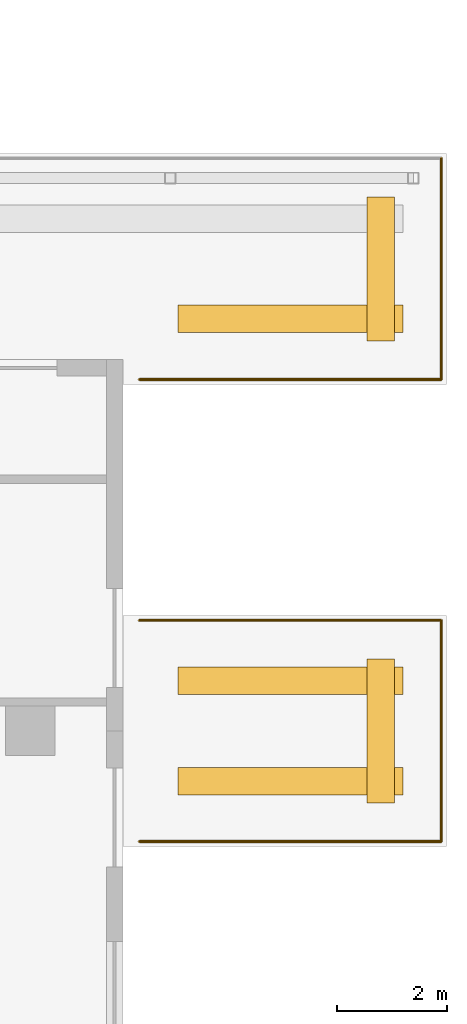
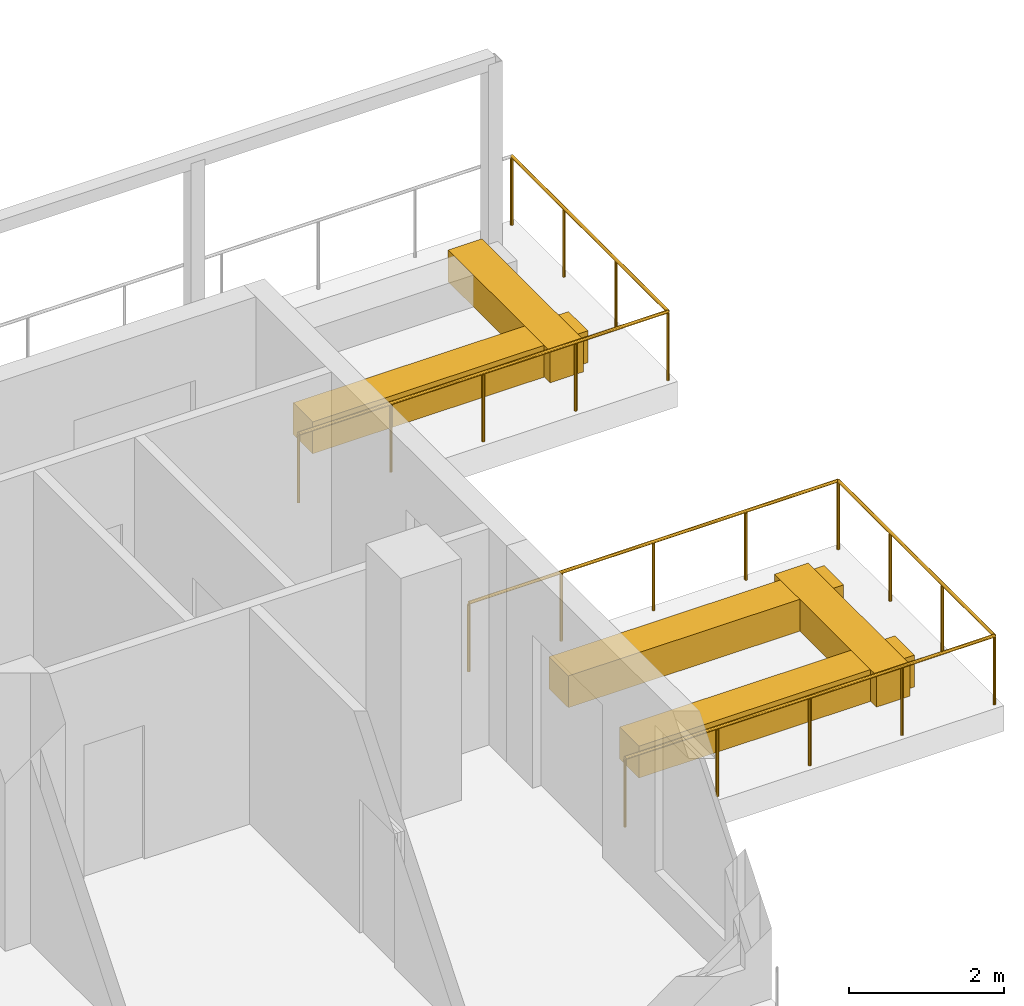
# One storey, part 15 of 15: 5 coverings, 5 railings.
"""IFC4 building model written with IfcOpenShell, lengths in metres."""

from ifc_helpers import new_model, si_unit, direction, frame, origin, origin_2d, place, context, subcontext, project, spatial, rectangle, circle, extrude, source, transform, mapped, material, type_object, element, save


model = new_model("IFC4")

# Units and contexts
model_context = context("Model", 3, precision=1e-05, world=origin(), true_north=direction((0.0, 1.0)))
body_context = subcontext(model_context, "Body", "Model", "MODEL_VIEW")
ifc_project = project(units=[si_unit("LENGTHUNIT", "METRE"), si_unit("AREAUNIT", "SQUARE_METRE"), si_unit("VOLUMEUNIT", "CUBIC_METRE"), si_unit("PLANEANGLEUNIT", "RADIAN"), si_unit("MASSUNIT", "GRAM", prefix="KILO")], contexts=[model_context])

# Site, building, storey
site_placement = place(None, origin())
site = spatial("IfcSite", under=ifc_project, at=site_placement, CompositionType="ELEMENT")
building_placement = place(site_placement, origin())
building = spatial("IfcBuilding", under=site, at=building_placement, Name="Aurelian Terraces", CompositionType="ELEMENT")
storey_placement = place(building_placement, frame((0.0, 0.0, 177.8)))
storey = spatial("IfcBuildingStorey", under=building, at=storey_placement, Name="L38", CompositionType="ELEMENT", Elevation=177.8)

# Railings
ifc_material_1 = material(Name="Anodised aluminium", Category="aluminium")
railing_type = type_object("IfcRailingType", Name="GUARD-1100", PredefinedType="GUARDRAIL", material=ifc_material_1)
railing_1_placement = place(storey_placement, frame((65.43, 20.91, 0.0)))
element("IfcRailing", 1, at=railing_1_placement, inside=storey, type_object=railing_type, Name="Terrace guard L38 L38-X1.2", PredefinedType="GUARDRAIL", context=body_context, shape_type="SweptSolid", body=[
    extrude(circle(Radius=0.024, at=origin_2d()), frame((0.0, 0.0, 1.076), z_axis=(0.0, -1.0, 0.0), x_axis=(1.0, 0.0, 0.0)), (0.0, 0.0, 1.0), 4.02),
    extrude(circle(Radius=0.021, at=origin_2d()), origin(), (0.0, 0.0, 1.0), 1.052),
    extrude(circle(Radius=0.021, at=origin_2d()), frame((0.0, -1.34, 0.0)), (0.0, 0.0, 1.0), 1.052),
    extrude(circle(Radius=0.021, at=origin_2d()), frame((0.0, -2.68, 0.0)), (0.0, 0.0, 1.0), 1.052),
    extrude(circle(Radius=0.021, at=origin_2d()), frame((0.0, -4.02, 0.0)), (0.0, 0.0, 1.0), 1.052),
])
railing_2_placement = place(storey_placement, frame((65.43, 16.89, 0.0)))
element("IfcRailing", 2, at=railing_2_placement, inside=storey, type_object=railing_type, Name="Terrace guard L38 L38-X1.3", PredefinedType="GUARDRAIL", context=body_context, shape_type="SweptSolid", body=[
    extrude(circle(Radius=0.024, at=origin_2d()), frame((0.0, 0.0, 1.076), z_axis=(-1.0, 0.0, 0.0), x_axis=(0.0, -1.0, 0.0)), (0.0, 0.0, 1.0), 5.49),
    extrude(circle(Radius=0.021, at=origin_2d()), origin(), (0.0, 0.0, 1.0), 1.052),
    extrude(circle(Radius=0.021, at=origin_2d()), frame((-1.3725, 0.0, 0.0)), (0.0, 0.0, 1.0), 1.052),
    extrude(circle(Radius=0.021, at=origin_2d()), frame((-2.745, 0.0, 0.0)), (0.0, 0.0, 1.0), 1.052),
    extrude(circle(Radius=0.021, at=origin_2d()), frame((-4.1175, 0.0, 0.0)), (0.0, 0.0, 1.0), 1.052),
    extrude(circle(Radius=0.021, at=origin_2d()), frame((-5.49, 0.0, 0.0)), (0.0, 0.0, 1.0), 1.052),
])
railing_3_placement = place(storey_placement, frame((59.94, 12.51, 0.0)))
element("IfcRailing", 3, at=railing_3_placement, inside=storey, type_object=railing_type, Name="Terrace guard L38 L38-X2.1", PredefinedType="GUARDRAIL", context=body_context, shape_type="SweptSolid", body=[
    extrude(circle(Radius=0.024, at=origin_2d()), frame((0.0, 0.0, 1.076), z_axis=(1.0, 0.0, 0.0), x_axis=(0.0, 1.0, 0.0)), (0.0, 0.0, 1.0), 5.49),
    extrude(circle(Radius=0.021, at=origin_2d()), origin(), (0.0, 0.0, 1.0), 1.052),
    extrude(circle(Radius=0.021, at=origin_2d()), frame((1.3725, 0.0, 0.0)), (0.0, 0.0, 1.0), 1.052),
    extrude(circle(Radius=0.021, at=origin_2d()), frame((2.745, 0.0, 0.0)), (0.0, 0.0, 1.0), 1.052),
    extrude(circle(Radius=0.021, at=origin_2d()), frame((4.1175, 0.0, 0.0)), (0.0, 0.0, 1.0), 1.052),
    extrude(circle(Radius=0.021, at=origin_2d()), frame((5.49, 0.0, 0.0)), (0.0, 0.0, 1.0), 1.052),
])

# Coverings
ifc_material_2 = material(Name="Terracotta planter with planting soil", Category="masonry")
covering_type = type_object("IfcCoveringType", Name="PLANTER-TROUGH", PredefinedType="USERDEFINED", material=ifc_material_2)
covering_1_placement = place(storey_placement, frame((64.33, 18.9, 0.0), z_axis=(0.0, 0.0, 1.0), x_axis=(1.0, 0.0, 0.0)))
element("IfcCovering", 4, at=covering_1_placement, inside=storey, type_object=covering_type, Name="PLANTER L38 terrace L38-X1-1.1", ObjectType="PLANTER", PredefinedType="USERDEFINED", context=body_context, shape_type="SweptSolid", body=[
    extrude(rectangle(XDim=0.5, YDim=2.62, at=origin_2d()), origin(), (0.0, 0.0, 1.0), 0.5),
])
covering_2_placement = place(storey_placement, frame((62.685, 17.99, 0.0), z_axis=(0.0, 0.0, 1.0), x_axis=(1.0, 0.0, 0.0)))
element("IfcCovering", 5, at=covering_2_placement, inside=storey, type_object=covering_type, Name="PLANTER L38 terrace L38-X1-2.1", ObjectType="PLANTER", PredefinedType="USERDEFINED", context=body_context, shape_type="SweptSolid", body=[
    extrude(rectangle(XDim=4.09, YDim=0.5, at=origin_2d()), origin(), (0.0, 0.0, 1.0), 0.5),
])
shared_shape_1 = source(origin(), body_context, "Body", "SweptSolid", [
    extrude(rectangle(XDim=4.09, YDim=0.5, at=origin_2d()), origin(), (0.0, 0.0, 1.0), 0.5),
])
for number, where, z_axis, x_axis, name in (
    (6, (62.685, 11.41, 0.0), (0.0, 0.0, 1.0), (1.0, 0.0, 0.0), "PLANTER L38 terrace L38-X2-0.1"),
    (7, (62.685, 9.59, 0.0), (0.0, 0.0, 1.0), (1.0, 0.0, 0.0), "PLANTER L38 terrace L38-X2-2.1"),
):
    element("IfcCovering", number, at=place(storey_placement, frame(where, z_axis=z_axis, x_axis=x_axis)), inside=storey, type_object=covering_type, Name=name, ObjectType="PLANTER", PredefinedType="USERDEFINED", context=body_context, shape_type="MappedRepresentation", body=[
        mapped(shared_shape_1, transform((0.0, 0.0, 0.0), scale=1.0)),
    ])

# Railing
shared_shape_2 = source(origin(), body_context, "Body", "SweptSolid", [
    extrude(circle(Radius=0.024, at=origin_2d()), frame((0.0, 0.0, 1.076), z_axis=(0.0, -1.0, 0.0), x_axis=(1.0, 0.0, 0.0)), (0.0, 0.0, 1.0), 4.02),
    extrude(circle(Radius=0.021, at=origin_2d()), origin(), (0.0, 0.0, 1.0), 1.052),
    extrude(circle(Radius=0.021, at=origin_2d()), frame((0.0, -1.34, 0.0)), (0.0, 0.0, 1.0), 1.052),
    extrude(circle(Radius=0.021, at=origin_2d()), frame((0.0, -2.68, 0.0)), (0.0, 0.0, 1.0), 1.052),
    extrude(circle(Radius=0.021, at=origin_2d()), frame((0.0, -4.02, 0.0)), (0.0, 0.0, 1.0), 1.052),
])
railing_4_placement = place(storey_placement, frame((65.43, 12.51, 0.0)))
element("IfcRailing", 8, at=railing_4_placement, inside=storey, type_object=railing_type, Name="Terrace guard L38 L38-X2.2", PredefinedType="GUARDRAIL", context=body_context, shape_type="MappedRepresentation", body=[
    mapped(shared_shape_2, transform((0.0, 0.0, 0.0), scale=1.0)),
])

# Covering
shared_shape_3 = source(origin(), body_context, "Body", "SweptSolid", [
    extrude(rectangle(XDim=0.5, YDim=2.62, at=origin_2d()), origin(), (0.0, 0.0, 1.0), 0.5),
])
covering_3_placement = place(storey_placement, frame((64.33, 10.5, 0.0), z_axis=(0.0, 0.0, 1.0), x_axis=(1.0, 0.0, 0.0)))
element("IfcCovering", 9, at=covering_3_placement, inside=storey, type_object=covering_type, Name="PLANTER L38 terrace L38-X2-1.1", ObjectType="PLANTER", PredefinedType="USERDEFINED", context=body_context, shape_type="MappedRepresentation", body=[
    mapped(shared_shape_3, transform((0.0, 0.0, 0.0), scale=1.0)),
])

# Railing
shared_shape_4 = source(origin(), body_context, "Body", "SweptSolid", [
    extrude(circle(Radius=0.024, at=origin_2d()), frame((0.0, 0.0, 1.076), z_axis=(-1.0, 0.0, 0.0), x_axis=(0.0, -1.0, 0.0)), (0.0, 0.0, 1.0), 5.49),
    extrude(circle(Radius=0.021, at=origin_2d()), origin(), (0.0, 0.0, 1.0), 1.052),
    extrude(circle(Radius=0.021, at=origin_2d()), frame((-1.3725, 0.0, 0.0)), (0.0, 0.0, 1.0), 1.052),
    extrude(circle(Radius=0.021, at=origin_2d()), frame((-2.745, 0.0, 0.0)), (0.0, 0.0, 1.0), 1.052),
    extrude(circle(Radius=0.021, at=origin_2d()), frame((-4.1175, 0.0, 0.0)), (0.0, 0.0, 1.0), 1.052),
    extrude(circle(Radius=0.021, at=origin_2d()), frame((-5.49, 0.0, 0.0)), (0.0, 0.0, 1.0), 1.052),
])
railing_5_placement = place(storey_placement, frame((65.43, 8.49, 0.0)))
element("IfcRailing", 10, at=railing_5_placement, inside=storey, type_object=railing_type, Name="Terrace guard L38 L38-X2.3", PredefinedType="GUARDRAIL", context=body_context, shape_type="MappedRepresentation", body=[
    mapped(shared_shape_4, transform((0.0, 0.0, 0.0), scale=1.0)),
])

save(model, "model.ifc")
